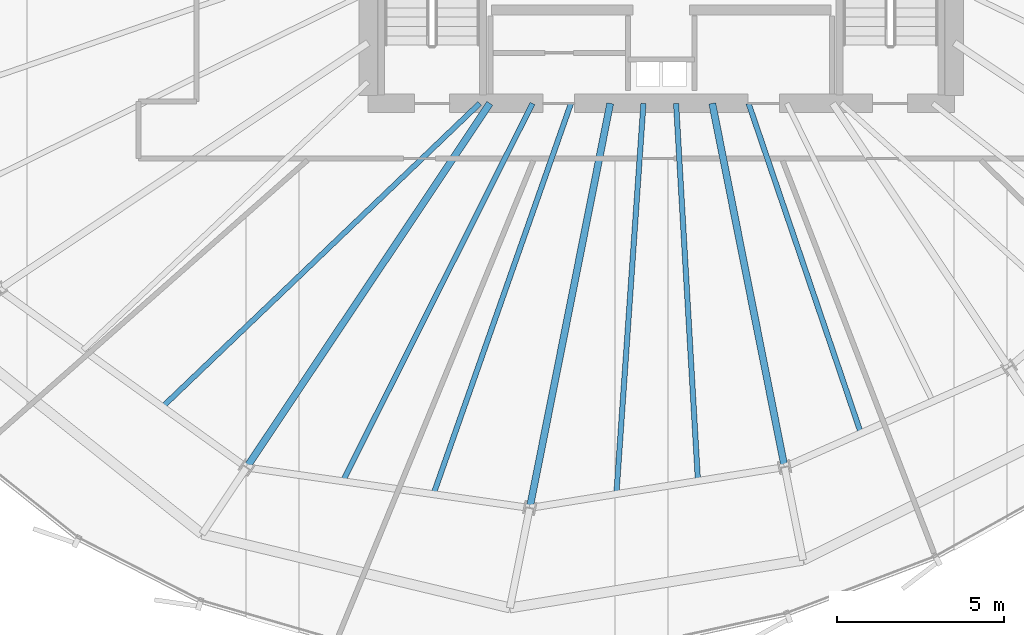
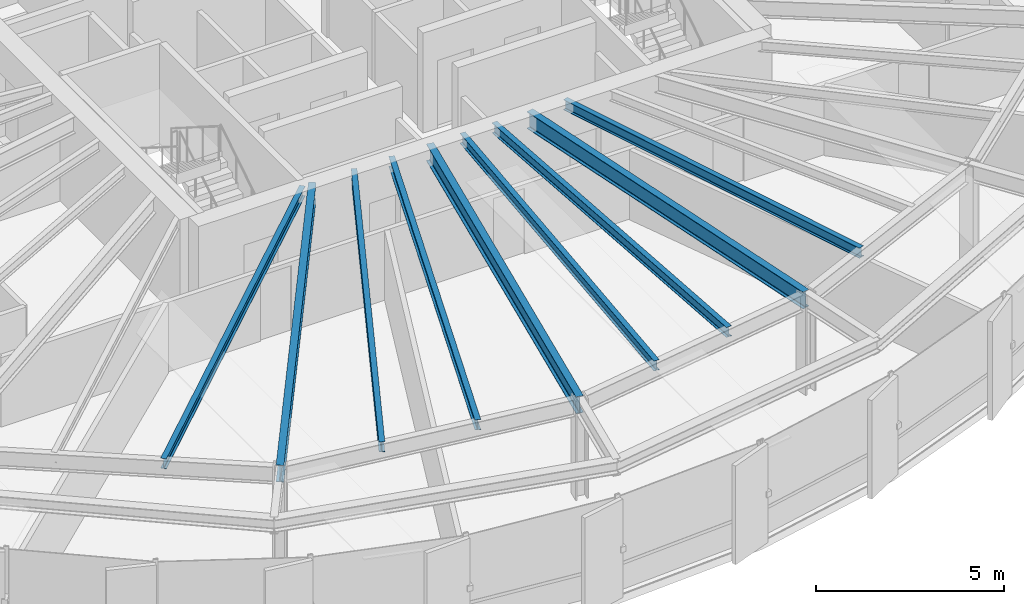
# One storey, part 8 of 35: 9 beams.
"""IFC4 building model written with IfcOpenShell, lengths in metres."""

from ifc_helpers import new_model, si_unit, direction, frame, origin, origin_2d, place, context, subcontext, project, spatial, i_section, extrude, source, transform, mapped, material, material_profile, profile_set, type_object, element, save


model = new_model("IFC4")

# Units and contexts
model_context = context("Model", 3, precision=1e-05, world=origin(), true_north=direction((0.0, 1.0)))
body_context = subcontext(model_context, "Body", "Model", "MODEL_VIEW")
ifc_project = project(units=[si_unit("LENGTHUNIT", "METRE"), si_unit("AREAUNIT", "SQUARE_METRE"), si_unit("VOLUMEUNIT", "CUBIC_METRE"), si_unit("PLANEANGLEUNIT", "RADIAN"), si_unit("MASSUNIT", "GRAM", prefix="KILO"), si_unit("THERMODYNAMICTEMPERATUREUNIT", "KELVIN")], contexts=[model_context])

# Site, building, storey
site_placement = place(None, origin())
site = spatial("IfcSite", under=ifc_project, at=site_placement, CompositionType="ELEMENT")
building_placement = place(site_placement, origin())
building = spatial("IfcBuilding", under=site, at=building_placement, Name="Kethvar Cultural Tower", CompositionType="ELEMENT")
storey_placement = place(building_placement, frame((0.0, 0.0, 167.85009765625)))
storey = spatial("IfcBuildingStorey", under=building, at=storey_placement, Name="L43", CompositionType="ELEMENT", Elevation=167.85009765625)

# Beams
ifc_material = material(Name="Steel S355J2", Category="steel")
ifc_material_profile_1 = material_profile(ifc_material, i_section(OverallWidth=0.2099609375, OverallDepth=0.550048828125, WebThickness=0.010986328125, FlangeThickness=0.01708984375, FilletRadius=0.02392578125, at=origin_2d()), Name="Steel S355J2 — IPE550")
ifc_profile_set_1 = profile_set([ifc_material_profile_1], Name="Steel S355J2 — IPE550")
beam_type_1 = type_object("IfcBeamType", Name="BM-IPE550", PredefinedType="BEAM", material=ifc_profile_set_1)
shared_shape_1 = source(origin(), body_context, "Body", "SweptSolid", [
    extrude(i_section(OverallWidth=0.2099609375, OverallDepth=0.550048828125, WebThickness=0.010986328125, FlangeThickness=0.01708984375, FilletRadius=0.02392578125, at=origin_2d()), origin(), (0.0, 0.0, 1.0), 13.147216796875),
])
beam_1_placement = place(storey_placement, frame((41.655029296875, 20.10009765625, 2.962890625), z_axis=(-0.555565525446, -0.831472757783, 0.0), x_axis=(0.831472757783, -0.555565525446, 0.0)))
element("IfcBeam", 1, at=beam_1_placement, inside=storey, type_object=beam_type_1, Name="L43 Primary Radial Beam RB-11", PredefinedType="BEAM", context=body_context, shape_type="MappedRepresentation", body=[
    mapped(shared_shape_1, transform((0.0, 0.0, 0.0), scale=1.0)),
])
shared_shape_2 = source(origin(), body_context, "Body", "SweptSolid", [
    extrude(i_section(OverallWidth=0.2099609375, OverallDepth=0.550048828125, WebThickness=0.010986328125, FlangeThickness=0.01708984375, FilletRadius=0.02392578125, at=origin_2d()), origin(), (0.0, 0.0, 1.0), 12.384521484375),
])
beam_2_placement = place(storey_placement, frame((45.268310546875, 20.10009765625, 2.962890625), z_axis=(-0.195084858678, -0.980786367113, 0.0), x_axis=(0.980786367113, -0.195084858678, 0.0)))
element("IfcBeam", 2, at=beam_2_placement, inside=storey, type_object=beam_type_1, Name="L43 Primary Radial Beam RB-12", PredefinedType="BEAM", context=body_context, shape_type="MappedRepresentation", body=[
    mapped(shared_shape_2, transform((0.0, 0.0, 0.0), scale=1.0)),
])
shared_shape_3 = source(origin(), body_context, "Body", "SweptSolid", [
    extrude(i_section(OverallWidth=0.2099609375, OverallDepth=0.550048828125, WebThickness=0.010986328125, FlangeThickness=0.01708984375, FilletRadius=0.02392578125, at=origin_2d()), origin(), (0.0, 0.0, 1.0), 11.131591796875),
])
beam_3_placement = place(storey_placement, frame((48.33154296875, 20.10009765625, 2.962890625), z_axis=(0.195107998266, -0.980781764213, 0.0), x_axis=(0.980781764213, 0.195107998266, 0.0)))
element("IfcBeam", 3, at=beam_3_placement, inside=storey, type_object=beam_type_1, Name="L43 Primary Radial Beam RB-13", PredefinedType="BEAM", context=body_context, shape_type="MappedRepresentation", body=[
    mapped(shared_shape_3, transform((0.0, 0.0, 0.0), scale=1.0)),
])
ifc_material_profile_2 = material_profile(ifc_material, i_section(OverallWidth=0.159912109375, OverallDepth=0.330078125, WebThickness=0.007568359375, FlangeThickness=0.011474609375, FilletRadius=0.01806640625, at=origin_2d()), Name="Steel S355J2 — IPE330")
ifc_profile_set_2 = profile_set([ifc_material_profile_2], Name="Steel S355J2 — IPE330")
beam_type_2 = type_object("IfcBeamType", Name="BM-J330", PredefinedType="JOIST", material=ifc_profile_set_2)
shared_shape_4 = source(origin(), body_context, "Body", "SweptSolid", [
    extrude(i_section(OverallWidth=0.159912109375, OverallDepth=0.330078125, WebThickness=0.007568359375, FlangeThickness=0.011474609375, FilletRadius=0.01806640625, at=origin_2d()), origin(), (0.0, 0.0, 1.0), 13.1826171875),
])
beam_4_placement = place(storey_placement, frame((41.35009765625, 20.10009765625, 3.072998046875), z_axis=(-0.722573880181, -0.691293705801, 0.0), x_axis=(0.691293705801, -0.722573880181, 0.0)))
element("IfcBeam", 4, at=beam_4_placement, inside=storey, type_object=beam_type_2, Name="L43 Composite Floor Joist J-10B", PredefinedType="JOIST", context=body_context, shape_type="MappedRepresentation", body=[
    mapped(shared_shape_4, transform((0.0, 0.0, 0.0), scale=1.0)),
])
shared_shape_5 = source(origin(), body_context, "Body", "SweptSolid", [
    extrude(i_section(OverallWidth=0.159912109375, OverallDepth=0.330078125, WebThickness=0.007568359375, FlangeThickness=0.011474609375, FilletRadius=0.01806640625, at=origin_2d()), origin(), (0.0, 0.0, 1.0), 12.693603515625),
])
beam_5_placement = place(storey_placement, frame((42.935302734375, 20.10009765625, 3.072998046875), z_axis=(-0.448582495233, -0.893741430712, 0.0), x_axis=(0.893741430712, -0.448582495233, 0.0)))
element("IfcBeam", 5, at=beam_5_placement, inside=storey, type_object=beam_type_2, Name="L43 Composite Floor Joist J-11A", PredefinedType="JOIST", context=body_context, shape_type="MappedRepresentation", body=[
    mapped(shared_shape_5, transform((0.0, 0.0, 0.0), scale=1.0)),
])
shared_shape_6 = source(origin(), body_context, "Body", "SweptSolid", [
    extrude(i_section(OverallWidth=0.159912109375, OverallDepth=0.330078125, WebThickness=0.007568359375, FlangeThickness=0.011474609375, FilletRadius=0.01806640625, at=origin_2d()), origin(), (0.0, 0.0, 1.0), 12.4384765625),
])
beam_6_placement = place(storey_placement, frame((44.090576171875, 20.10009765625, 3.072998046875), z_axis=(-0.331923676994, -0.943306245421, 0.0), x_axis=(0.943306245421, -0.331923676994, 0.0)))
element("IfcBeam", 6, at=beam_6_placement, inside=storey, type_object=beam_type_2, Name="L43 Composite Floor Joist J-11B", PredefinedType="JOIST", context=body_context, shape_type="MappedRepresentation", body=[
    mapped(shared_shape_6, transform((0.0, 0.0, 0.0), scale=1.0)),
])
shared_shape_7 = source(origin(), body_context, "Body", "SweptSolid", [
    extrude(i_section(OverallWidth=0.159912109375, OverallDepth=0.330078125, WebThickness=0.007568359375, FlangeThickness=0.011474609375, FilletRadius=0.01806640625, at=origin_2d()), origin(), (0.0, 0.0, 1.0), 11.7568359375),
])
beam_7_placement = place(storey_placement, frame((46.266357421875, 20.10009765625, 3.072998046875), z_axis=(-0.069129203877, -0.997607715072, 0.0), x_axis=(0.997607715072, -0.069129203877, 0.0)))
element("IfcBeam", 7, at=beam_7_placement, inside=storey, type_object=beam_type_2, Name="L43 Composite Floor Joist J-12A", PredefinedType="JOIST", context=body_context, shape_type="MappedRepresentation", body=[
    mapped(shared_shape_7, transform((0.0, 0.0, 0.0), scale=1.0)),
])
shared_shape_8 = source(origin(), body_context, "Body", "SweptSolid", [
    extrude(i_section(OverallWidth=0.159912109375, OverallDepth=0.330078125, WebThickness=0.007568359375, FlangeThickness=0.011474609375, FilletRadius=0.01806640625, at=origin_2d()), origin(), (0.0, 0.0, 1.0), 11.354736328125),
])
beam_8_placement = place(storey_placement, frame((47.245849609375, 20.10009765625, 3.072998046875), z_axis=(0.057795585741, -0.998328438075, 0.0), x_axis=(0.998328438075, 0.057795585741, 0.0)))
element("IfcBeam", 8, at=beam_8_placement, inside=storey, type_object=beam_type_2, Name="L43 Composite Floor Joist J-12B", PredefinedType="JOIST", context=body_context, shape_type="MappedRepresentation", body=[
    mapped(shared_shape_8, transform((0.0, 0.0, 0.0), scale=1.0)),
])
shared_shape_9 = source(origin(), body_context, "Body", "SweptSolid", [
    extrude(i_section(OverallWidth=0.159912109375, OverallDepth=0.330078125, WebThickness=0.007568359375, FlangeThickness=0.011474609375, FilletRadius=0.01806640625, at=origin_2d()), origin(), (0.0, 0.0, 1.0), 10.45947265625),
])
beam_9_placement = place(storey_placement, frame((49.42236328125, 20.10009765625, 3.072998046875), z_axis=(0.322390188368, -0.94660687006, 0.0), x_axis=(0.94660687006, 0.322390188368, 0.0)))
element("IfcBeam", 9, at=beam_9_placement, inside=storey, type_object=beam_type_2, Name="L43 Composite Floor Joist J-13A", PredefinedType="JOIST", context=body_context, shape_type="MappedRepresentation", body=[
    mapped(shared_shape_9, transform((0.0, 0.0, 0.0), scale=1.0)),
])

save(model, "model.ifc")
